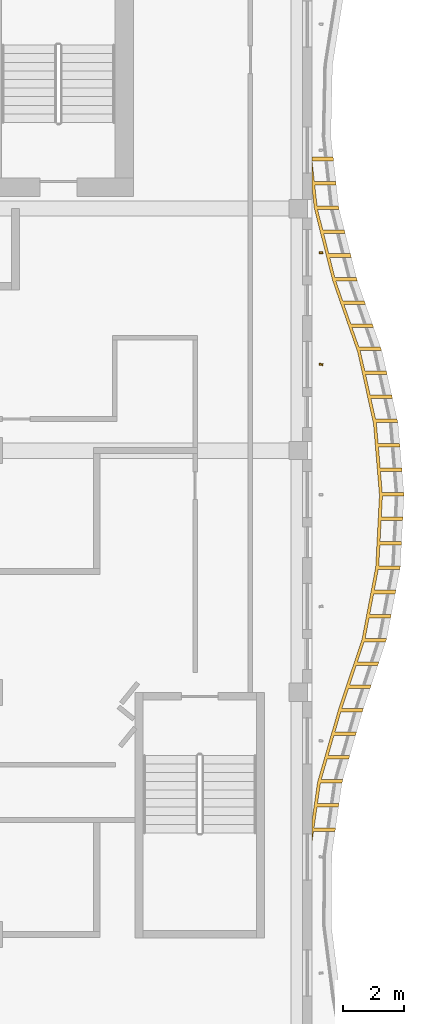
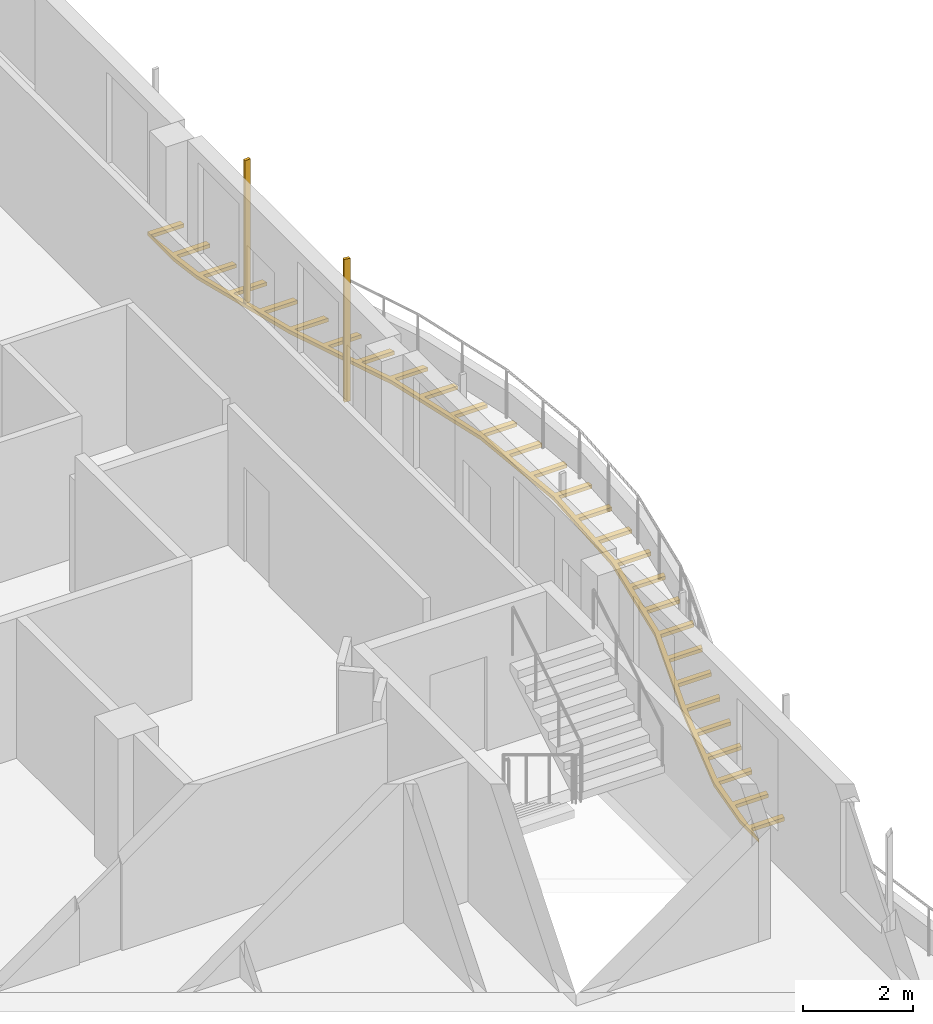
# One storey, part 16 of 18: 3 shading devices.
"""IFC4 building model written with IfcOpenShell, lengths in metres."""

import ifcopenshell
import ifcopenshell.guid

model = None  # the IFC model being written
_history = None  # IfcOwnerHistory: only IFC2X3 demands one
_inside = {}  # id of a spatial element -> (the spatial element, [elements in it])
_under = {}  # id of a project, library or spatial element -> (it, [spatial elements below it])
_declared = {}  # id of a project -> (the project, [libraries it declares])
_typed = {}  # id of a type object -> (the type object, [elements of that type])
_made_of = {}  # id of a material, layer set ... -> (it, [elements and type objects made of it])


def new_model(schema):
    """Start an empty IFC model of exactly this schema.

    Asked for "IFC4X3", IfcOpenShell would pick the latest addendum, in which some entities
    have other attributes; the version numbers below select the first issue.
    IFC2X3 requires an IfcOwnerHistory on every rooted entity: one is made here for all.
    """
    global model, _history
    if schema == "IFC4X3":
        model = ifcopenshell.file(schema_version=(4, 3, 0, 0))
    else:
        model = ifcopenshell.file(schema=schema)
    _inside.clear()
    _under.clear()
    _declared.clear()
    _typed.clear()
    _made_of.clear()
    _history = None
    if model.schema == "IFC2X3":
        org = make("IfcOrganization", Name="unknown")
        user = make(
            "IfcPersonAndOrganization",
            ThePerson=make("IfcPerson", FamilyName="unknown"),
            TheOrganization=org,
        )
        app = make(
            "IfcApplication",
            ApplicationDeveloper=org,
            Version="unknown",
            ApplicationFullName="unknown",
            ApplicationIdentifier="unknown",
        )
        _history = make(
            "IfcOwnerHistory",
            OwningUser=user,
            OwningApplication=app,
            ChangeAction="ADDED",
            CreationDate=0,
        )
    return model


def make(cls, **values):
    """One entity of the class cls with the attributes given. An attribute that is None is left unset."""
    return model.create_entity(
        cls, **{name: value for name, value in values.items() if value is not None}
    )


def rooted(cls, **values):
    """An entity with a GlobalId (a new one), such as an element, a storey or a relation."""
    return make(cls, GlobalId=ifcopenshell.guid.new(), OwnerHistory=_history, **values)


def si_unit(unit_type, name, prefix=None):
    """IfcSIUnit, for example si_unit("LENGTHUNIT", "METRE", prefix="MILLI")."""
    return make("IfcSIUnit", UnitType=unit_type, Prefix=prefix, Name=name)


def assignment(units):
    """IfcUnitAssignment: the units of a project."""
    return None if units is None else make("IfcUnitAssignment", Units=units)


def point(xyz):
    """IfcCartesianPoint."""
    return None if xyz is None else make("IfcCartesianPoint", Coordinates=xyz)


def direction(xyz):
    """IfcDirection."""
    return None if xyz is None else make("IfcDirection", DirectionRatios=xyz)


def frame(location, z_axis=None, x_axis=None):
    """IfcAxis2Placement3D, a coordinate frame: its origin and axes. An axis left out is left unset."""
    return make(
        "IfcAxis2Placement3D",
        Location=point(location),
        Axis=direction(z_axis),
        RefDirection=direction(x_axis),
    )


def frame_2d(location, x_axis=None):
    """IfcAxis2Placement2D, a coordinate frame in the plane: its origin and x axis."""
    return make(
        "IfcAxis2Placement2D", Location=point(location), RefDirection=direction(x_axis)
    )


def origin():
    """The frame at (0, 0, 0) with its axes left unset."""
    return frame((0.0, 0.0, 0.0))


def origin_2d():
    """The frame at (0, 0) in the plane with its x axis left unset."""
    return frame_2d((0.0, 0.0))


def place(relative_to, where):
    """IfcLocalPlacement: puts the frame where relative to a parent placement (None: the world)."""
    return make(
        "IfcLocalPlacement", PlacementRelTo=relative_to, RelativePlacement=where
    )


def context(
    kind, dimensions, precision=None, world=None, true_north=None, identifier=None
):
    """IfcGeometricRepresentationContext, for example the 3D "Model" context."""
    return make(
        "IfcGeometricRepresentationContext",
        ContextIdentifier=identifier,
        ContextType=kind,
        CoordinateSpaceDimension=dimensions,
        Precision=precision,
        WorldCoordinateSystem=world,
        TrueNorth=true_north,
    )


def subcontext(parent, identifier, kind, view, scale=None):
    """IfcGeometricRepresentationSubContext, for example "Body" below "Model"."""
    return make(
        "IfcGeometricRepresentationSubContext",
        ContextIdentifier=identifier,
        ContextType=kind,
        ParentContext=parent,
        TargetScale=scale,
        TargetView=view,
    )


def project(units=None, contexts=None):
    """IfcProject with its units and contexts."""
    return rooted(
        "IfcProject",
        Name="project",
        RepresentationContexts=contexts,
        UnitsInContext=assignment(units),
    )


def spatial(cls, under=None, at=None, **own):
    """A site, building, storey or space (cls), placed at a placement, below another one or the project."""
    s = rooted(cls, ObjectPlacement=at, **own)
    if under is not None:
        _under.setdefault(under.id(), (under, []))[1].append(s)
    return s


def polyline(points):
    """IfcPolyline through the points."""
    return make("IfcPolyline", Points=[point(p) for p in points])


def profile(cls, at=None, kind="AREA", **sizes):
    """A parametric profile (cls). Its sizes go by their IFC names, for example OverallWidth=200.0."""
    return make(cls, ProfileType=kind, Position=at, **sizes)


def rectangle(**sizes):
    """IfcRectangleProfileDef."""
    return profile("IfcRectangleProfileDef", **sizes)


def outline(outer, holes=None, kind="AREA"):
    """IfcArbitraryClosedProfileDef: a profile drawn as a closed curve; with holes, ...WithVoids."""
    if holes is None:
        return make("IfcArbitraryClosedProfileDef", ProfileType=kind, OuterCurve=outer)
    return make(
        "IfcArbitraryProfileDefWithVoids",
        ProfileType=kind,
        OuterCurve=outer,
        InnerCurves=holes,
    )


def extrude(swept, where, along, depth):
    """IfcExtrudedAreaSolid: the profile swept, set in the frame where, extruded along a direction by depth."""
    return make(
        "IfcExtrudedAreaSolid",
        SweptArea=swept,
        Position=where,
        ExtrudedDirection=direction(along),
        Depth=depth,
    )


def shape(context_of_items, identifier, shape_type, items):
    """IfcShapeRepresentation: the items that make up one representation, for example the "Body"."""
    return make(
        "IfcShapeRepresentation",
        ContextOfItems=context_of_items,
        RepresentationIdentifier=identifier,
        RepresentationType=shape_type,
        Items=items,
    )


def source(mapping_origin, context_of_items, identifier, shape_type, items):
    """IfcRepresentationMap: a shape defined once, which mapped items show again and again."""
    return make(
        "IfcRepresentationMap",
        MappingOrigin=mapping_origin,
        MappedRepresentation=shape(context_of_items, identifier, shape_type, items),
    )


def transform(
    local_origin,
    x_axis=None,
    y_axis=None,
    z_axis=None,
    scale=None,
    scale2=None,
    scale3=None,
    uniform=True,
):
    """IfcCartesianTransformationOperator3D, or its non-uniform kind. x_axis, y_axis, z_axis: its Axis1, 2, 3."""
    if uniform:
        return make(
            "IfcCartesianTransformationOperator3D",
            Axis1=direction(x_axis),
            Axis2=direction(y_axis),
            LocalOrigin=point(local_origin),
            Scale=scale,
            Axis3=direction(z_axis),
        )
    return make(
        "IfcCartesianTransformationOperator3DnonUniform",
        Axis1=direction(x_axis),
        Axis2=direction(y_axis),
        LocalOrigin=point(local_origin),
        Scale=scale,
        Axis3=direction(z_axis),
        Scale2=scale2,
        Scale3=scale3,
    )


def mapped(mapping_source, mapping_target):
    """IfcMappedItem: shows the shape of a source again, moved by a transform."""
    return make(
        "IfcMappedItem", MappingSource=mapping_source, MappingTarget=mapping_target
    )


def material(Name=None, Category=None):
    """IfcMaterial."""
    return make("IfcMaterial", Name=Name, Category=Category)


def layer(
    of_material, thickness, ventilated=None, Name=None, Category=None, Priority=None
):
    """IfcMaterialLayer: one layer of a wall or slab, of a material (None: an air gap)."""
    return make(
        "IfcMaterialLayer",
        Material=of_material,
        LayerThickness=thickness,
        IsVentilated=ventilated,
        Name=Name,
        Category=Category,
        Priority=Priority,
    )


def layer_set(layers, Name=None):
    """IfcMaterialLayerSet."""
    return make("IfcMaterialLayerSet", MaterialLayers=layers, LayerSetName=Name)


def material_profile(
    of_material, cross_section, Name=None, Category=None, Priority=None
):
    """IfcMaterialProfile: a cross section and its material."""
    return make(
        "IfcMaterialProfile",
        Name=Name,
        Material=of_material,
        Profile=cross_section,
        Priority=Priority,
        Category=Category,
    )


def profile_set(profiles, Name=None, composite=None):
    """IfcMaterialProfileSet."""
    return make(
        "IfcMaterialProfileSet",
        Name=Name,
        MaterialProfiles=profiles,
        CompositeProfile=composite,
    )


def made_of(thing, what):
    """Note that an element or type object is made of a material, layer set ...; save() writes the relation."""
    if what is not None:
        _made_of.setdefault(what.id(), (what, []))[1].append(thing)
    return thing


def type_object(cls, material=None, **own):
    """A type object (cls), such as IfcWallType, which elements share."""
    return made_of(rooted(cls, **own), material)


def element(
    cls,
    number,
    at=None,
    inside=None,
    cuts=None,
    type_object=None,
    material=None,
    context=None,
    identifier="Body",
    shape_type=None,
    held_by="IfcProductDefinitionShape",
    body=None,
    shapes=None,
    **own,
):
    """One element of the class cls, such as IfcWall. Its Tag is "e" and its number.

    at: its placement. inside: the storey or other place that contains it. cuts: it is an
    opening in that element (IfcRelVoidsElement). A single representation is given by context,
    identifier, shape_type and body (its items); several are given by shapes. held_by: the class
    of the entity that holds the representations. save() writes the other relations.
    """
    e = rooted(cls, Tag="e%d" % number, ObjectPlacement=at, **own)
    if body is not None:
        shapes = [shape(context, identifier, shape_type, body)]
    if shapes is not None:
        e.Representation = make(held_by, Representations=shapes)
    if inside is not None:
        _inside.setdefault(inside.id(), (inside, []))[1].append(e)
    if cuts is not None:
        rooted(
            "IfcRelVoidsElement", RelatingBuildingElement=cuts, RelatedOpeningElement=e
        )
    if type_object is not None:
        _typed.setdefault(type_object.id(), (type_object, []))[1].append(e)
    return made_of(e, material)


def aggregate(whole, parts):
    """IfcRelAggregates: a whole, such as a stair, and the parts it consists of."""
    return rooted("IfcRelAggregates", RelatingObject=whole, RelatedObjects=parts)


def save(model, path):
    """Write the relations noted so far, then the file.

    IfcRelAggregates (storeys below a building ...), IfcRelContainedInSpatialStructure (elements
    in a storey), IfcRelDefinesByType, IfcRelAssociatesMaterial and IfcRelDeclares: one each for
    every whole, place, type object, material and project.
    """
    for whole, parts in _under.values():
        aggregate(whole, parts)
    for where, things in _inside.values():
        rooted(
            "IfcRelContainedInSpatialStructure",
            RelatedElements=things,
            RelatingStructure=where,
        )
    for kind, things in _typed.values():
        rooted("IfcRelDefinesByType", RelatedObjects=things, RelatingType=kind)
    for what, things in _made_of.values():
        rooted("IfcRelAssociatesMaterial", RelatedObjects=things, RelatingMaterial=what)
    for by, libraries in _declared.values():
        rooted("IfcRelDeclares", RelatingContext=by, RelatedDefinitions=libraries)
    model.write(path)


model = new_model("IFC4")

# Units and contexts
model_context = context("Model", 3, precision=1e-05, world=origin(), true_north=direction((0.0, 1.0)))
body_context = subcontext(model_context, "Body", "Model", "MODEL_VIEW")
ifc_project = project(units=[si_unit("LENGTHUNIT", "METRE"), si_unit("AREAUNIT", "SQUARE_METRE"), si_unit("VOLUMEUNIT", "CUBIC_METRE"), si_unit("PLANEANGLEUNIT", "RADIAN"), si_unit("MASSUNIT", "GRAM", prefix="KILO")], contexts=[model_context])

# Site, building, storey
site_placement = place(None, origin())
site = spatial("IfcSite", under=ifc_project, at=site_placement, CompositionType="ELEMENT")
building_placement = place(site_placement, origin())
building = spatial("IfcBuilding", under=site, at=building_placement, Name="Kilnfold Tower and Market Hall", CompositionType="ELEMENT")
storey_placement = place(building_placement, frame((0.0, 0.0, 312.0)))
storey = spatial("IfcBuildingStorey", under=building, at=storey_placement, Name="L78", CompositionType="ELEMENT", Elevation=312.0)

# Shading devices
ifc_material_1 = material(Name="Terracotta", Category="masonry")
ifc_material_profile = material_profile(ifc_material_1, rectangle(XDim=0.06005859375, YDim=0.1201171875, at=origin_2d()), Name="BAG 60x120")
ifc_profile_set = profile_set([ifc_material_profile], Name="Terracotta")
shading_device_type_1 = type_object("IfcShadingDeviceType", Name="BAGUETTE", PredefinedType="USERDEFINED", material=ifc_profile_set)
shared_shape_1 = source(origin(), body_context, "Body", "SweptSolid", [
    extrude(rectangle(XDim=0.06005859375, YDim=0.1201171875, at=origin_2d()), origin(), (0.0, 0.0, 1.0), 3.179931640625),
])
for number, where, z_axis, x_axis, name in (
    (1, (23.800048828125, 2.925048828125, 0.0), (0.0, 0.0, 1.0), (0.121606026505, 0.992578447438, 0.0), "Terracotta baguette L78 E"),
    (2, (23.800048828125, 6.5625, 0.0), (0.0, 0.0, 1.0), (-0.075391199083, 0.997154033789, 0.0), "Terracotta baguette L78 E"),
):
    element("IfcShadingDevice", number, at=place(storey_placement, frame(where, z_axis=z_axis, x_axis=x_axis)), inside=storey, type_object=shading_device_type_1, Name=name, ObjectType="BAGUETTE", PredefinedType="USERDEFINED", context=body_context, shape_type="MappedRepresentation", body=[
        mapped(shared_shape_1, transform((0.0, 0.0, 0.0))),
    ])
ifc_material_2 = material(Name="Bronze anodised aluminium", Category="aluminium")
ifc_layer = layer(ifc_material_2, 0.080078125)
ifc_layer_set = layer_set([ifc_layer], Name="Bronze anodised aluminium")
shading_device_type_2 = type_object("IfcShadingDeviceType", Name="BRONZE SLAT SOFFIT 80", PredefinedType="USERDEFINED", material=ifc_layer_set)
shared_shape_2 = source(origin(), body_context, "Body", "SweptSolid", [
    extrude(outline(polyline([(23.684326171875, -10.666748046875), (24.35595703125, -8.333251953125), (25.135009765625, -6.0), (25.576904296875, -3.666748046875), (25.697998046875, -1.333251953125), (25.5048828125, 1.0), (24.9873046875, 3.333251953125), (24.171630859375, 5.666748046875), (23.57958984375, 8.0), (23.5, 8.707275390625), (23.5, 9.673095703125), (24.19140625, 9.673095703125), (24.204833984375, 9.553955078125), (23.5048828125, 9.553955078125), (23.580810546875, 8.878173828125), (24.28076171875, 8.878173828125), (24.294189453125, 8.7587890625), (23.59423828125, 8.7587890625), (23.670166015625, 8.083251953125), (24.3701171875, 8.083251953125), (24.388427734375, 7.96484375), (23.6884765625, 7.96484375), (23.855712890625, 7.3056640625), (24.5556640625, 7.3056640625), (24.585205078125, 7.189453125), (23.88525390625, 7.189453125), (24.052490234375, 6.5302734375), (24.75244140625, 6.5302734375), (24.781982421875, 6.4140625), (24.08203125, 6.4140625), (24.249267578125, 5.7548828125), (24.94921875, 5.7548828125), (24.981201171875, 5.639404296875), (24.28125, 5.639404296875), (24.505615234375, 4.997314453125), (25.20556640625, 4.997314453125), (25.2451171875, 4.884033203125), (24.545166015625, 4.884033203125), (24.76953125, 4.2421875), (25.469482421875, 4.2421875), (25.50927734375, 4.12890625), (24.80908203125, 4.12890625), (25.033447265625, 3.487060546875), (25.7333984375, 3.487060546875), (25.773193359375, 3.373779296875), (25.072998046875, 3.373779296875), (25.225341796875, 2.711181640625), (25.92529296875, 2.711181640625), (25.951416015625, 2.593994140625), (25.251220703125, 2.593994140625), (25.398681640625, 1.93017578125), (26.0986328125, 1.93017578125), (26.12451171875, 1.81298828125), (25.424560546875, 1.81298828125), (25.572021484375, 1.149169921875), (26.27197265625, 1.149169921875), (26.2978515625, 1.031982421875), (25.597900390625, 1.031982421875), (25.658203125, 0.35498046875), (26.3583984375, 0.35498046875), (26.3681640625, 0.2353515625), (25.668212890625, 0.2353515625), (25.724365234375, -0.442138671875), (26.42431640625, -0.442138671875), (26.43408203125, -0.561767578125), (25.734130859375, -0.561767578125), (25.790283203125, -1.239501953125), (26.490234375, -1.239501953125), (26.498046875, -1.333251953125), (26.49658203125, -1.359130859375), (25.796630859375, -1.359130859375), (25.761474609375, -2.0380859375), (26.46142578125, -2.0380859375), (26.455078125, -2.158203125), (25.755126953125, -2.158203125), (25.719970703125, -2.837158203125), (26.419921875, -2.837158203125), (26.413818359375, -2.95703125), (25.713623046875, -2.95703125), (25.678466796875, -3.635986328125), (26.37841796875, -3.635986328125), (26.376708984375, -3.666748046875), (26.360107421875, -3.75439453125), (25.66015625, -3.75439453125), (25.53369140625, -4.422607421875), (26.233642578125, -4.422607421875), (26.211181640625, -4.54052734375), (25.51123046875, -4.54052734375), (25.384765625, -5.20849609375), (26.084716796875, -5.20849609375), (26.0625, -5.326416015625), (25.3623046875, -5.326416015625), (25.23583984375, -5.99462890625), (25.935791015625, -5.99462890625), (25.934814453125, -6.0), (25.898681640625, -6.108642578125), (25.198486328125, -6.108642578125), (24.9833984375, -6.753662109375), (25.683349609375, -6.753662109375), (25.645263671875, -6.867431640625), (24.9453125, -6.867431640625), (24.72998046875, -7.512451171875), (25.429931640625, -7.512451171875), (25.391845703125, -7.626220703125), (24.69189453125, -7.626220703125), (24.4765625, -8.271240234375), (25.176513671875, -8.271240234375), (25.140869140625, -8.3857421875), (24.44091796875, -8.3857421875), (24.252685546875, -9.039306640625), (24.95263671875, -9.039306640625), (24.91943359375, -9.154541015625), (24.219482421875, -9.154541015625), (24.031494140625, -9.80810546875), (24.7314453125, -9.80810546875), (24.6982421875, -9.92333984375), (23.998291015625, -9.92333984375), (23.810302734375, -10.576904296875), (24.51025390625, -10.576904296875), (24.480712890625, -10.693115234375), (23.780517578125, -10.693115234375), (23.683837890625, -11.3662109375), (24.3837890625, -11.3662109375), (24.36669921875, -11.48486328125), (23.666748046875, -11.48486328125), (23.570068359375, -12.157958984375), (24.27001953125, -12.157958984375), (24.2529296875, -12.276611328125), (23.552978515625, -12.276611328125), (23.5, -12.645263671875), (23.5, -11.949462890625), (23.684326171875, -10.666748046875)])), origin(), (0.0, 0.0, 1.0), 0.080078125),
])
shading_device_placement = place(storey_placement, frame((0.0, 0.0, -0.300048828125)))
element("IfcShadingDevice", 3, at=shading_device_placement, inside=storey, type_object=shading_device_type_2, Name="Balcony soffit slats L78", ObjectType="SLAT", PredefinedType="USERDEFINED", context=body_context, shape_type="MappedRepresentation", body=[
    mapped(shared_shape_2, transform((0.0, 0.0, 0.0))),
])

save(model, "model.ifc")
